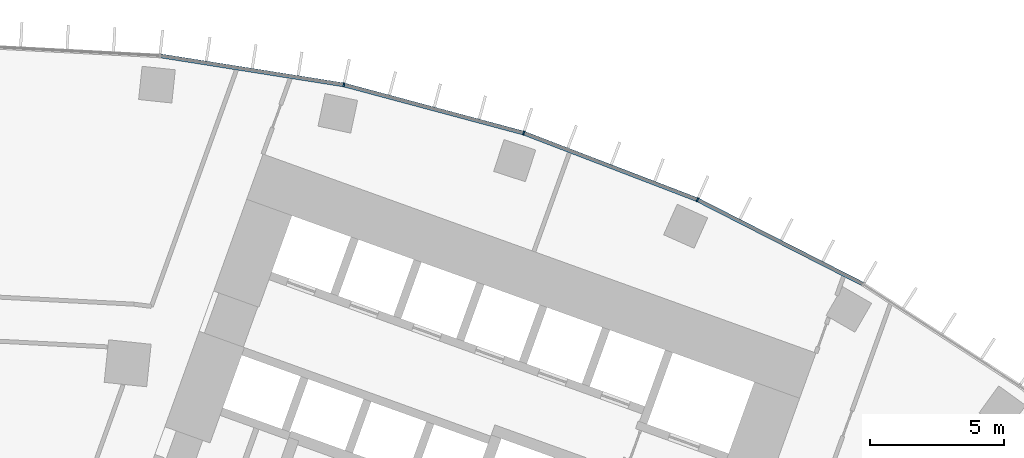
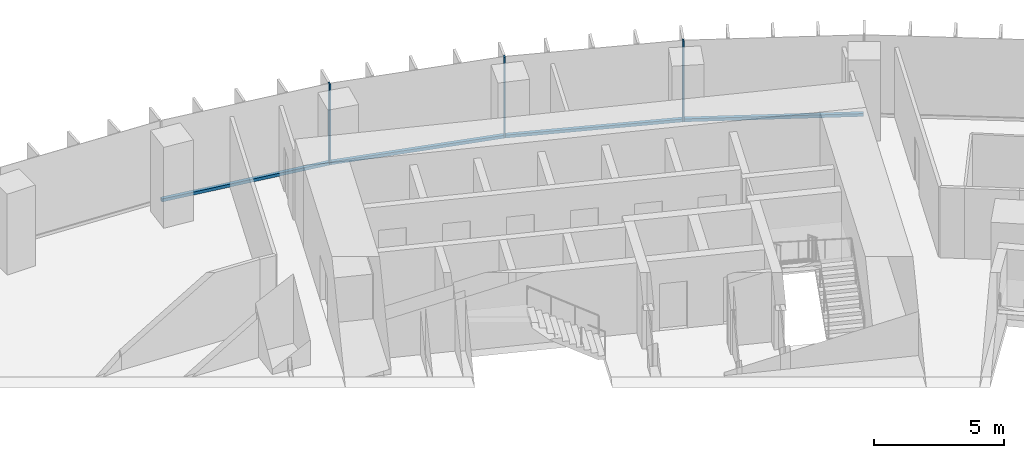
# One storey, part 12 of 24: 7 members, 1 element without a shape of its own.
"""IFC4 building model written with IfcOpenShell, lengths in metres."""

from ifc_helpers import new_model, si_unit, direction, frame, origin, origin_2d, place, context, subcontext, project, spatial, rectangle, extrude, material, layer, layer_set, material_profile, profile_set, type_object, element, aggregate, save


model = new_model("IFC4")

# Units and contexts
model_context = context("Model", 3, precision=1e-05, world=origin(), true_north=direction((0.0, 1.0)))
body_context = subcontext(model_context, "Body", "Model", "MODEL_VIEW")
ifc_project = project(units=[si_unit("LENGTHUNIT", "METRE"), si_unit("AREAUNIT", "SQUARE_METRE"), si_unit("VOLUMEUNIT", "CUBIC_METRE"), si_unit("PLANEANGLEUNIT", "RADIAN"), si_unit("MASSUNIT", "GRAM", prefix="KILO")], contexts=[model_context])

# Site, building, storey
site_placement = place(None, origin())
site = spatial("IfcSite", under=ifc_project, at=site_placement, CompositionType="ELEMENT")
building_placement = place(site_placement, origin())
building = spatial("IfcBuilding", under=site, at=building_placement, Name="Stone Belt Terrace Tower", CompositionType="ELEMENT")
storey_placement = place(building_placement, frame((0.0, 0.0, 75.60009765625)))
storey = spatial("IfcBuildingStorey", under=building, at=storey_placement, Name="L18", CompositionType="ELEMENT", Elevation=75.60009765625)

# Curtain wall, members
ifc_material = material(Name="Aluminium 6063-T6 anodised frame", Category="aluminium")
ifc_layer = layer(ifc_material, 0.14990234375)
ifc_layer_set = layer_set([ifc_layer], Name="CW-A unitised convex-face curtain wall")
curtain_wall_type = type_object("IfcCurtainWallType", Name="CW-A unitised convex-face curtain wall", PredefinedType="NOTDEFINED", material=ifc_layer_set)
curtain_wall_placement = place(storey_placement, origin())
curtain_wall = element("IfcCurtainWall", 1, at=curtain_wall_placement, inside=storey, type_object=curtain_wall_type, Name="CW-A convex face L18", PredefinedType="NOTDEFINED")
ifc_material_profile_1 = material_profile(ifc_material, rectangle(XDim=0.14990234375, YDim=0.06005859375, at=origin_2d()), Name="Aluminium 6063-T6 60x150")
ifc_profile_set_1 = profile_set([ifc_material_profile_1], Name="Aluminium 6063-T6 anodised frame")
member_type_1 = type_object("IfcMemberType", Name="CW-A mullion 60 x 150", PredefinedType="MULLION", material=ifc_profile_set_1)
member_1_placement = place(storey_placement, frame((27.07861328125, 60.8193359375, 0.0), z_axis=(0.0, 0.0, 1.0), x_axis=(-0.406736643076, -0.913545457643, 0.0)))
member_1 = element("IfcMember", 2, at=member_1_placement, type_object=member_type_1, Name="CW-A mullion 5", PredefinedType="MULLION", context=body_context, shape_type="SweptSolid", body=[
    extrude(rectangle(XDim=0.14990234375, YDim=0.06005859375, at=origin_2d()), origin(), (0.0, 0.0, 1.0), 3.7998046875),
])
member_2_placement = place(storey_placement, frame((20.57275390625, 63.316650390625, 0.0), z_axis=(0.0, 0.0, 1.0), x_axis=(-0.309016994375, -0.951056516295, 0.0)))
member_2 = element("IfcMember", 3, at=member_2_placement, type_object=member_type_1, Name="CW-A mullion 6", PredefinedType="MULLION", context=body_context, shape_type="SweptSolid", body=[
    extrude(rectangle(XDim=0.14990234375, YDim=0.06005859375, at=origin_2d()), origin(), (0.0, 0.0, 1.0), 3.7998046875),
])
member_3_placement = place(storey_placement, frame((13.841796875, 65.120361328125, 0.0), z_axis=(0.0, 0.0, 1.0), x_axis=(-0.207911690818, -0.978147600734, 0.0)))
member_3 = element("IfcMember", 4, at=member_3_placement, type_object=member_type_1, Name="CW-A mullion 7", PredefinedType="MULLION", context=body_context, shape_type="SweptSolid", body=[
    extrude(rectangle(XDim=0.14990234375, YDim=0.06005859375, at=origin_2d()), origin(), (0.0, 0.0, 1.0), 3.7998046875),
])
ifc_material_profile_2 = material_profile(ifc_material, rectangle(XDim=0.14990234375, YDim=0.139892578125, at=origin_2d()), Name="Aluminium 6063-T6 150x140")
ifc_profile_set_2 = profile_set([ifc_material_profile_2], Name="Aluminium 6063-T6 anodised frame")
member_type_2 = type_object("IfcMemberType", Name="CW-A transom 140 x 150", PredefinedType="USERDEFINED", material=ifc_profile_set_2)
member_4_placement = place(storey_placement, frame((33.25732421875, 57.671142578125, 0.06982421875), z_axis=(-0.891012226264, 0.453979308613, 0.0), x_axis=(-0.453979308613, -0.891012226264, 0.0)))
member_4 = element("IfcMember", 5, at=member_4_placement, type_object=member_type_2, Name="CW-A transom 4.1", ObjectType="TRANSOM", PredefinedType="USERDEFINED", context=body_context, shape_type="SweptSolid", body=[
    extrude(rectangle(XDim=0.14990234375, YDim=0.139892578125, at=origin_2d()), origin(), (0.0, 0.0, 1.0), 6.90087890625),
])
member_5_placement = place(storey_placement, frame((27.046875, 60.83154296875, 0.06982421875), z_axis=(-0.933585210269, 0.358355487146, 0.0), x_axis=(-0.358355487146, -0.933585210269, 0.0)))
member_5 = element("IfcMember", 6, at=member_5_placement, type_object=member_type_2, Name="CW-A transom 5.1", ObjectType="TRANSOM", PredefinedType="USERDEFINED", context=body_context, shape_type="SweptSolid", body=[
    extrude(rectangle(XDim=0.14990234375, YDim=0.139892578125, at=origin_2d()), origin(), (0.0, 0.0, 1.0), 6.900634765625),
])
member_6_placement = place(storey_placement, frame((20.5400390625, 63.325439453125, 0.06982421875), z_axis=(-0.965921835863, 0.258833937117, 0.0), x_axis=(-0.258833937117, -0.965921835863, 0.0)))
member_6 = element("IfcMember", 7, at=member_6_placement, type_object=member_type_2, Name="CW-A transom 6.1", ObjectType="TRANSOM", PredefinedType="USERDEFINED", context=body_context, shape_type="SweptSolid", body=[
    extrude(rectangle(XDim=0.14990234375, YDim=0.139892578125, at=origin_2d()), origin(), (0.0, 0.0, 1.0), 6.900634765625),
])
member_7_placement = place(storey_placement, frame((13.808349609375, 65.12548828125, 0.06982421875), z_axis=(-0.987687120531, 0.156442168027, 0.0), x_axis=(-0.156442168027, -0.987687120531, 0.0)))
member_7 = element("IfcMember", 8, at=member_7_placement, type_object=member_type_2, Name="CW-A transom 7.1", ObjectType="TRANSOM", PredefinedType="USERDEFINED", context=body_context, shape_type="SweptSolid", body=[
    extrude(rectangle(XDim=0.14990234375, YDim=0.139892578125, at=origin_2d()), origin(), (0.0, 0.0, 1.0), 6.90087890625),
])
aggregate(curtain_wall, [member_1, member_2, member_3, member_4, member_5, member_6, member_7])

save(model, "model.ifc")
